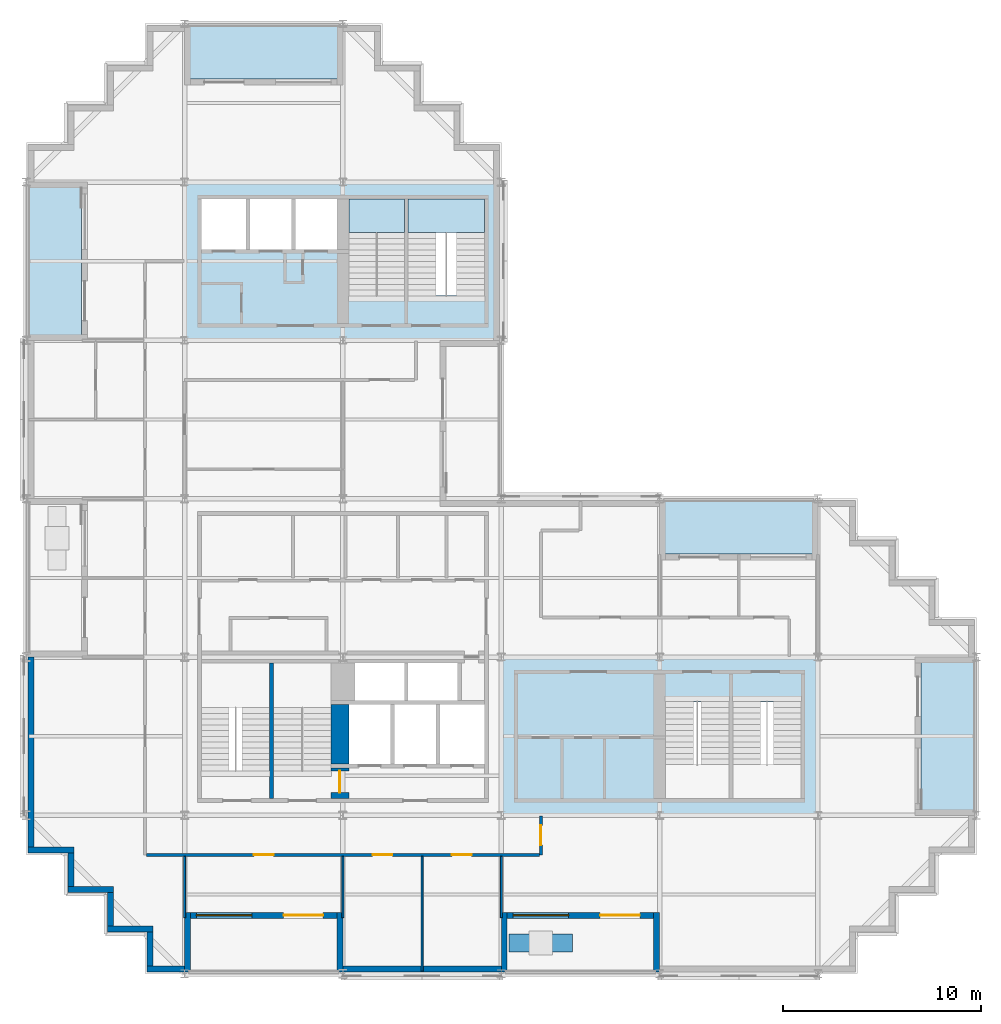
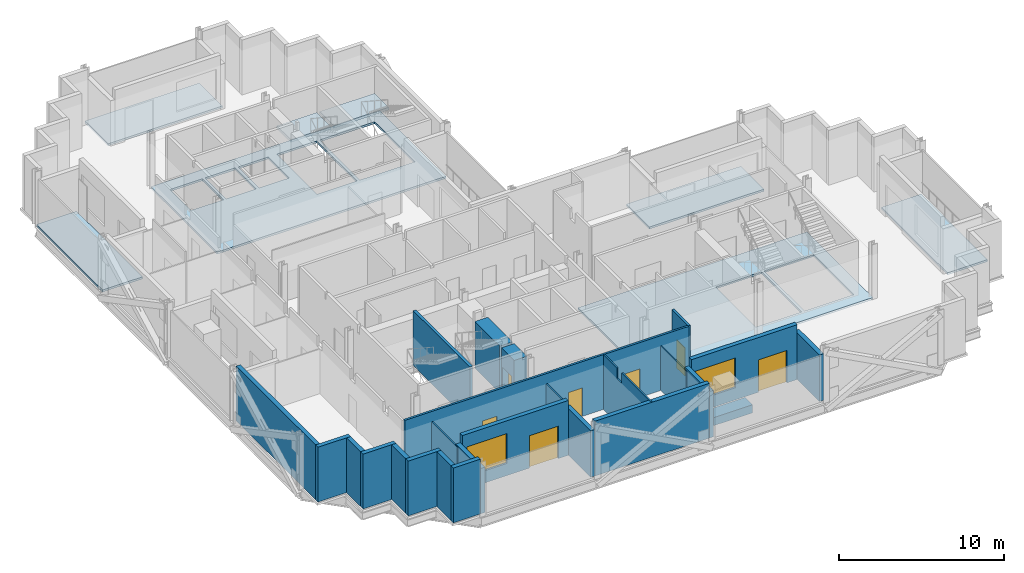
# One storey, part 4 of 12: 25 walls, 8 slabs, 7 doors, 2 windows, 9 openings, 2 elements without a shape of their own.
"""IFC4 building model written with IfcOpenShell, lengths in metres."""

import ifcopenshell
import ifcopenshell.guid

model = None  # the IFC model being written
_history = None  # IfcOwnerHistory: only IFC2X3 demands one
_inside = {}  # id of a spatial element -> (the spatial element, [elements in it])
_under = {}  # id of a project, library or spatial element -> (it, [spatial elements below it])
_declared = {}  # id of a project -> (the project, [libraries it declares])
_typed = {}  # id of a type object -> (the type object, [elements of that type])
_made_of = {}  # id of a material, layer set ... -> (it, [elements and type objects made of it])


def new_model(schema):
    """Start an empty IFC model of exactly this schema.

    Asked for "IFC4X3", IfcOpenShell would pick the latest addendum, in which some entities
    have other attributes; the version numbers below select the first issue.
    IFC2X3 requires an IfcOwnerHistory on every rooted entity: one is made here for all.
    """
    global model, _history
    if schema == "IFC4X3":
        model = ifcopenshell.file(schema_version=(4, 3, 0, 0))
    else:
        model = ifcopenshell.file(schema=schema)
    _inside.clear()
    _under.clear()
    _declared.clear()
    _typed.clear()
    _made_of.clear()
    _history = None
    if model.schema == "IFC2X3":
        org = make("IfcOrganization", Name="unknown")
        user = make(
            "IfcPersonAndOrganization",
            ThePerson=make("IfcPerson", FamilyName="unknown"),
            TheOrganization=org,
        )
        app = make(
            "IfcApplication",
            ApplicationDeveloper=org,
            Version="unknown",
            ApplicationFullName="unknown",
            ApplicationIdentifier="unknown",
        )
        _history = make(
            "IfcOwnerHistory",
            OwningUser=user,
            OwningApplication=app,
            ChangeAction="ADDED",
            CreationDate=0,
        )
    return model


def make(cls, **values):
    """One entity of the class cls with the attributes given. An attribute that is None is left unset."""
    return model.create_entity(
        cls, **{name: value for name, value in values.items() if value is not None}
    )


def rooted(cls, **values):
    """An entity with a GlobalId (a new one), such as an element, a storey or a relation."""
    return make(cls, GlobalId=ifcopenshell.guid.new(), OwnerHistory=_history, **values)


def si_unit(unit_type, name, prefix=None):
    """IfcSIUnit, for example si_unit("LENGTHUNIT", "METRE", prefix="MILLI")."""
    return make("IfcSIUnit", UnitType=unit_type, Prefix=prefix, Name=name)


def assignment(units):
    """IfcUnitAssignment: the units of a project."""
    return None if units is None else make("IfcUnitAssignment", Units=units)


def point(xyz):
    """IfcCartesianPoint."""
    return None if xyz is None else make("IfcCartesianPoint", Coordinates=xyz)


def direction(xyz):
    """IfcDirection."""
    return None if xyz is None else make("IfcDirection", DirectionRatios=xyz)


def frame(location, z_axis=None, x_axis=None):
    """IfcAxis2Placement3D, a coordinate frame: its origin and axes. An axis left out is left unset."""
    return make(
        "IfcAxis2Placement3D",
        Location=point(location),
        Axis=direction(z_axis),
        RefDirection=direction(x_axis),
    )


def frame_2d(location, x_axis=None):
    """IfcAxis2Placement2D, a coordinate frame in the plane: its origin and x axis."""
    return make(
        "IfcAxis2Placement2D", Location=point(location), RefDirection=direction(x_axis)
    )


def origin():
    """The frame at (0, 0, 0) with its axes left unset."""
    return frame((0.0, 0.0, 0.0))


def place(relative_to, where):
    """IfcLocalPlacement: puts the frame where relative to a parent placement (None: the world)."""
    return make(
        "IfcLocalPlacement", PlacementRelTo=relative_to, RelativePlacement=where
    )


def context(
    kind, dimensions, precision=None, world=None, true_north=None, identifier=None
):
    """IfcGeometricRepresentationContext, for example the 3D "Model" context."""
    return make(
        "IfcGeometricRepresentationContext",
        ContextIdentifier=identifier,
        ContextType=kind,
        CoordinateSpaceDimension=dimensions,
        Precision=precision,
        WorldCoordinateSystem=world,
        TrueNorth=true_north,
    )


def subcontext(parent, identifier, kind, view, scale=None):
    """IfcGeometricRepresentationSubContext, for example "Body" below "Model"."""
    return make(
        "IfcGeometricRepresentationSubContext",
        ContextIdentifier=identifier,
        ContextType=kind,
        ParentContext=parent,
        TargetScale=scale,
        TargetView=view,
    )


def project(units=None, contexts=None):
    """IfcProject with its units and contexts."""
    return rooted(
        "IfcProject",
        Name="project",
        RepresentationContexts=contexts,
        UnitsInContext=assignment(units),
    )


def spatial(cls, under=None, at=None, **own):
    """A site, building, storey or space (cls), placed at a placement, below another one or the project."""
    s = rooted(cls, ObjectPlacement=at, **own)
    if under is not None:
        _under.setdefault(under.id(), (under, []))[1].append(s)
    return s


def polyline(points):
    """IfcPolyline through the points."""
    return make("IfcPolyline", Points=[point(p) for p in points])


def profile(cls, at=None, kind="AREA", **sizes):
    """A parametric profile (cls). Its sizes go by their IFC names, for example OverallWidth=200.0."""
    return make(cls, ProfileType=kind, Position=at, **sizes)


def rectangle(**sizes):
    """IfcRectangleProfileDef."""
    return profile("IfcRectangleProfileDef", **sizes)


def outline(outer, holes=None, kind="AREA"):
    """IfcArbitraryClosedProfileDef: a profile drawn as a closed curve; with holes, ...WithVoids."""
    if holes is None:
        return make("IfcArbitraryClosedProfileDef", ProfileType=kind, OuterCurve=outer)
    return make(
        "IfcArbitraryProfileDefWithVoids",
        ProfileType=kind,
        OuterCurve=outer,
        InnerCurves=holes,
    )


def extrude(swept, where, along, depth):
    """IfcExtrudedAreaSolid: the profile swept, set in the frame where, extruded along a direction by depth."""
    return make(
        "IfcExtrudedAreaSolid",
        SweptArea=swept,
        Position=where,
        ExtrudedDirection=direction(along),
        Depth=depth,
    )


def shape(context_of_items, identifier, shape_type, items):
    """IfcShapeRepresentation: the items that make up one representation, for example the "Body"."""
    return make(
        "IfcShapeRepresentation",
        ContextOfItems=context_of_items,
        RepresentationIdentifier=identifier,
        RepresentationType=shape_type,
        Items=items,
    )


def material(Name=None, Category=None):
    """IfcMaterial."""
    return make("IfcMaterial", Name=Name, Category=Category)


def layer(
    of_material, thickness, ventilated=None, Name=None, Category=None, Priority=None
):
    """IfcMaterialLayer: one layer of a wall or slab, of a material (None: an air gap)."""
    return make(
        "IfcMaterialLayer",
        Material=of_material,
        LayerThickness=thickness,
        IsVentilated=ventilated,
        Name=Name,
        Category=Category,
        Priority=Priority,
    )


def layer_set(layers, Name=None):
    """IfcMaterialLayerSet."""
    return make("IfcMaterialLayerSet", MaterialLayers=layers, LayerSetName=Name)


def made_of(thing, what):
    """Note that an element or type object is made of a material, layer set ...; save() writes the relation."""
    if what is not None:
        _made_of.setdefault(what.id(), (what, []))[1].append(thing)
    return thing


def type_object(cls, material=None, **own):
    """A type object (cls), such as IfcWallType, which elements share."""
    return made_of(rooted(cls, **own), material)


def element(
    cls,
    number,
    at=None,
    inside=None,
    cuts=None,
    type_object=None,
    material=None,
    context=None,
    identifier="Body",
    shape_type=None,
    held_by="IfcProductDefinitionShape",
    body=None,
    shapes=None,
    **own,
):
    """One element of the class cls, such as IfcWall. Its Tag is "e" and its number.

    at: its placement. inside: the storey or other place that contains it. cuts: it is an
    opening in that element (IfcRelVoidsElement). A single representation is given by context,
    identifier, shape_type and body (its items); several are given by shapes. held_by: the class
    of the entity that holds the representations. save() writes the other relations.
    """
    e = rooted(cls, Tag="e%d" % number, ObjectPlacement=at, **own)
    if body is not None:
        shapes = [shape(context, identifier, shape_type, body)]
    if shapes is not None:
        e.Representation = make(held_by, Representations=shapes)
    if inside is not None:
        _inside.setdefault(inside.id(), (inside, []))[1].append(e)
    if cuts is not None:
        rooted(
            "IfcRelVoidsElement", RelatingBuildingElement=cuts, RelatedOpeningElement=e
        )
    if type_object is not None:
        _typed.setdefault(type_object.id(), (type_object, []))[1].append(e)
    return made_of(e, material)


def fill(opening, filler):
    """IfcRelFillsElement: the door or window that sits in an opening."""
    return rooted(
        "IfcRelFillsElement",
        RelatingOpeningElement=opening,
        RelatedBuildingElement=filler,
    )


def aggregate(whole, parts):
    """IfcRelAggregates: a whole, such as a stair, and the parts it consists of."""
    return rooted("IfcRelAggregates", RelatingObject=whole, RelatedObjects=parts)


def save(model, path):
    """Write the relations noted so far, then the file.

    IfcRelAggregates (storeys below a building ...), IfcRelContainedInSpatialStructure (elements
    in a storey), IfcRelDefinesByType, IfcRelAssociatesMaterial and IfcRelDeclares: one each for
    every whole, place, type object, material and project.
    """
    for whole, parts in _under.values():
        aggregate(whole, parts)
    for where, things in _inside.values():
        rooted(
            "IfcRelContainedInSpatialStructure",
            RelatedElements=things,
            RelatingStructure=where,
        )
    for kind, things in _typed.values():
        rooted("IfcRelDefinesByType", RelatedObjects=things, RelatingType=kind)
    for what, things in _made_of.values():
        rooted("IfcRelAssociatesMaterial", RelatedObjects=things, RelatingMaterial=what)
    for by, libraries in _declared.values():
        rooted("IfcRelDeclares", RelatingContext=by, RelatedDefinitions=libraries)
    model.write(path)


model = new_model("IFC4")

# Units and contexts
model_context = context("Model", 3, precision=1e-05, world=origin(), true_north=direction((0.0, 1.0)))
body_context = subcontext(model_context, "Body", "Model", "MODEL_VIEW")
ifc_project = project(units=[si_unit("LENGTHUNIT", "METRE"), si_unit("AREAUNIT", "SQUARE_METRE"), si_unit("VOLUMEUNIT", "CUBIC_METRE"), si_unit("PLANEANGLEUNIT", "RADIAN"), si_unit("MASSUNIT", "GRAM", prefix="KILO")], contexts=[model_context])

# Site, building, storey
site_placement = place(None, origin())
site = spatial("IfcSite", under=ifc_project, at=site_placement, CompositionType="ELEMENT")
building_placement = place(site_placement, origin())
building = spatial("IfcBuilding", under=site, at=building_placement, Name="Immortelle Media Tower", CompositionType="ELEMENT")
storey_placement = place(building_placement, frame((0.0, 0.0, 149.39990234375)))
storey = spatial("IfcBuildingStorey", under=building, at=storey_placement, Name="L30", CompositionType="ELEMENT", Elevation=149.39990234375)

# Slabs
ifc_material_1 = material(Name="Concrete C50/60 composite deck", Category="concrete")
ifc_layer_1 = layer(ifc_material_1, 0.14990234375)
ifc_layer_set_1 = layer_set([ifc_layer_1], Name="Concrete C50/60 composite deck")
slab_type_1 = type_object("IfcSlabType", Name="Balcony slab 150", PredefinedType="FLOOR", material=ifc_layer_set_1)
slab_1_placement = place(storey_placement, frame((0.0, 0.0, -0.14990234375)))
element("IfcSlab", 1, at=slab_1_placement, inside=storey, type_object=slab_type_1, Name="Balcony slab L30 E0", PredefinedType="FLOOR", context=body_context, shape_type="SweptSolid", body=[
    extrude(outline(polyline([(48.0, 8.0), (48.0, 16.0), (45.199951171875, 16.0), (45.199951171875, 8.0), (48.0, 8.0)])), origin(), (0.0, 0.0, 1.0), 0.14990234375),
])
slab_2_placement = place(storey_placement, frame((0.0, 0.0, -0.14990234375)))
element("IfcSlab", 2, at=slab_2_placement, inside=storey, type_object=slab_type_1, Name="Balcony slab L30 N0", PredefinedType="FLOOR", context=body_context, shape_type="SweptSolid", body=[
    extrude(outline(polyline([(40.0, 21.199951171875), (40.0, 24.0), (32.0, 24.0), (32.0, 21.199951171875), (40.0, 21.199951171875)])), origin(), (0.0, 0.0, 1.0), 0.14990234375),
])
slab_3_placement = place(storey_placement, frame((0.0, 0.0, -0.14990234375)))
element("IfcSlab", 3, at=slab_3_placement, inside=storey, type_object=slab_type_1, Name="Balcony slab L30 N0", PredefinedType="FLOOR", context=body_context, shape_type="SweptSolid", body=[
    extrude(outline(polyline([(16.0, 45.199951171875), (16.0, 48.0), (8.0, 48.0), (8.0, 45.199951171875), (16.0, 45.199951171875)])), origin(), (0.0, 0.0, 1.0), 0.14990234375),
])
slab_4_placement = place(storey_placement, frame((0.0, 0.0, -0.14990234375)))
element("IfcSlab", 4, at=slab_4_placement, inside=storey, type_object=slab_type_1, Name="Balcony slab L30 W0", PredefinedType="FLOOR", context=body_context, shape_type="SweptSolid", body=[
    extrude(outline(polyline([(2.800048828125, 32.0), (2.800048828125, 40.0), (0.0, 40.0), (0.0, 32.0), (2.800048828125, 32.0)])), origin(), (0.0, 0.0, 1.0), 0.14990234375),
])
ifc_material_2 = material(Name="Concrete C50/60", Category="concrete")
ifc_layer_2 = layer(ifc_material_2, 0.14990234375)
ifc_layer_set_2 = layer_set([ifc_layer_2], Name="Concrete C50/60")
slab_type_2 = type_object("IfcSlabType", Name="Core floor slab 150", PredefinedType="FLOOR", material=ifc_layer_set_2)
slab_5_placement = place(storey_placement, frame((0.0, 0.0, -0.14990234375)))
element("IfcSlab", 5, at=slab_5_placement, inside=storey, type_object=slab_type_2, Name="Core floor SE", PredefinedType="FLOOR", context=body_context, shape_type="SweptSolid", body=[
    extrude(outline(polyline([(24.0, 8.0), (40.0, 8.0), (40.0, 16.0), (24.0, 16.0), (24.0, 8.0)]), holes=[polyline([(32.300048828125, 8.85009765625), (35.5, 8.85009765625), (35.5, 13.72998046875), (32.300048828125, 13.72998046875), (32.300048828125, 8.85009765625)]), polyline([(35.699951171875, 8.85009765625), (39.14990234375, 8.85009765625), (39.14990234375, 13.72998046875), (35.699951171875, 13.72998046875), (35.699951171875, 8.85009765625)])]), origin(), (0.0, 0.0, 1.0), 0.14990234375),
])
slab_6_placement = place(storey_placement, frame((0.0, 0.0, -0.14990234375)))
element("IfcSlab", 6, at=slab_6_placement, inside=storey, type_object=slab_type_2, Name="Core floor NW", PredefinedType="FLOOR", context=body_context, shape_type="SweptSolid", body=[
    extrude(outline(polyline([(8.0, 32.0), (24.0, 32.0), (24.0, 40.0), (8.0, 40.0), (8.0, 32.0)]), holes=[polyline([(8.85009765625, 36.60009765625), (11.10009765625, 36.60009765625), (11.10009765625, 39.14990234375), (8.85009765625, 39.14990234375), (8.85009765625, 36.60009765625)]), polyline([(11.300048828125, 36.60009765625), (13.39990234375, 36.60009765625), (13.39990234375, 39.14990234375), (11.300048828125, 39.14990234375), (11.300048828125, 36.60009765625)]), polyline([(13.60009765625, 36.60009765625), (15.699951171875, 36.60009765625), (15.699951171875, 39.14990234375), (13.60009765625, 39.14990234375), (13.60009765625, 36.60009765625)]), polyline([(16.300048828125, 34.27001953125), (19.10009765625, 34.27001953125), (19.10009765625, 39.14990234375), (16.300048828125, 39.14990234375), (16.300048828125, 34.27001953125)]), polyline([(19.300048828125, 34.27001953125), (23.14990234375, 34.27001953125), (23.14990234375, 39.14990234375), (19.300048828125, 39.14990234375), (19.300048828125, 34.27001953125)])]), origin(), (0.0, 0.0, 1.0), 0.14990234375),
])

# Stair, slab
ifc_material_3 = material(Name="Steel ASTM A992 Gr 50", Category="steel")
stair_type = type_object("IfcStairType", Name="Stair with flights", PredefinedType="DOUBLE_RETURN_STAIR", material=ifc_material_3)
stair_1_placement = place(storey_placement, origin())
stair_1 = element("IfcStair", 7, at=stair_1_placement, inside=storey, type_object=stair_type, Name="Exit stair NW1", PredefinedType="DOUBLE_RETURN_STAIR")
ifc_material_4 = material(Name="Steel ASTM A572 Gr 50", Category="steel")
ifc_layer_3 = layer(ifc_material_4, 0.199951171875)
ifc_layer_set_3 = layer_set([ifc_layer_3], Name="Steel ASTM A572 Gr 50")
slab_type_3 = type_object("IfcSlabType", Name="Stair landing 200", PredefinedType="LANDING", material=ifc_layer_set_3)
slab_7_placement = place(storey_placement, frame((0.0, 0.0, 1.900146484375)))
slab_7 = element("IfcSlab", 8, at=slab_7_placement, type_object=slab_type_3, Name="ST NW1 landing 1", PredefinedType="LANDING", context=body_context, shape_type="SweptSolid", body=[
    extrude(outline(polyline([(16.300048828125, 37.43994140625), (19.10009765625, 37.43994140625), (19.10009765625, 39.14990234375), (16.300048828125, 39.14990234375), (16.300048828125, 37.43994140625)])), origin(), (0.0, 0.0, 1.0), 0.199951171875),
])
aggregate(stair_1, [slab_7])

stair_2_placement = place(storey_placement, origin())
stair_2 = element("IfcStair", 9, at=stair_2_placement, inside=storey, type_object=stair_type, Name="Exit stair NW2", PredefinedType="DOUBLE_RETURN_STAIR")
slab_8_placement = place(storey_placement, frame((0.0, 0.0, 1.900146484375)))
slab_8 = element("IfcSlab", 10, at=slab_8_placement, type_object=slab_type_3, Name="ST NW2 landing 1", PredefinedType="LANDING", context=body_context, shape_type="SweptSolid", body=[
    extrude(outline(polyline([(19.300048828125, 37.43994140625), (23.14990234375, 37.43994140625), (23.14990234375, 39.14990234375), (19.300048828125, 39.14990234375), (19.300048828125, 37.43994140625)])), origin(), (0.0, 0.0, 1.0), 0.199951171875),
])
aggregate(stair_2, [slab_8])

# Wall, openings, doors
ifc_material_5 = material(Name="Fire-rated gypsum board", Category="gypsum")
ifc_layer_4 = layer(ifc_material_5, 0.012451171875)
ifc_material_6 = material(Name="Steel ASTM A653 SS Gr 50 stud frame with mineral wool", Category="steel")
ifc_layer_5 = layer(ifc_material_6, 0.125)
ifc_layer_6 = layer(ifc_material_5, 0.012451171875)
ifc_layer_set_4 = layer_set([ifc_layer_4, ifc_layer_5, ifc_layer_6], Name="Steel ASTM A653 SS Gr 50 stud frame with mineral wool")
wall_type_1 = type_object("IfcWallType", Name="Corridor wall 150", PredefinedType="PARTITIONING", material=ifc_layer_set_4)
wall_1_placement = place(storey_placement, frame((6.074951171875, 6.0, 0.0), z_axis=(0.0, 0.0, 1.0), x_axis=(1.0, 0.0, 0.0)))
wall_1 = element("IfcWall", 11, at=wall_1_placement, inside=storey, type_object=wall_type_1, Name="Partition L30-005", PredefinedType="PARTITIONING", context=body_context, shape_type="SweptSolid", body=[
    extrude(rectangle(XDim=19.85009765625, YDim=0.14990234375, at=frame_2d((9.925048828125, 0.0))), origin(), (0.0, 0.0, 1.0), 4.050048828125),
])
opening_1_placement = place(wall_1_placement, frame((12.425048828125, 0.0, 0.0), z_axis=(0.0, 0.0, 1.0), x_axis=(-1.0, 0.0, 0.0)))
opening_1 = element("IfcOpeningElement", 12, at=opening_1_placement, cuts=wall_1, Name="Opening C3-F001", PredefinedType="OPENING", context=body_context, shape_type="SweptSolid", body=[
    extrude(rectangle(XDim=1.0, YDim=2.10009765625, at=frame_2d((0.5, 1.050048828125))), frame((0.0, 0.0849609375, 0.0), z_axis=(0.0, -1.0, 0.0), x_axis=(1.0, 0.0, 0.0)), (0.0, 0.0, 1.0), 0.169921875),
])
opening_2_placement = place(wall_1_placement, frame((16.425048828125, 0.0, 0.0), z_axis=(0.0, 0.0, 1.0), x_axis=(-1.0, 0.0, 0.0)))
opening_2 = element("IfcOpeningElement", 13, at=opening_2_placement, cuts=wall_1, Name="Opening C3-F002", PredefinedType="OPENING", context=body_context, shape_type="SweptSolid", body=[
    extrude(rectangle(XDim=1.0, YDim=2.10009765625, at=frame_2d((0.5, 1.050048828125))), frame((0.0, 0.0849609375, 0.0), z_axis=(0.0, -1.0, 0.0), x_axis=(1.0, 0.0, 0.0)), (0.0, 0.0, 1.0), 0.169921875),
])
opening_3_placement = place(wall_1_placement, frame((6.425048828125, 0.0, 0.0), z_axis=(0.0, 0.0, 1.0), x_axis=(-1.0, 0.0, 0.0)))
opening_3 = element("IfcOpeningElement", 14, at=opening_3_placement, cuts=wall_1, Name="Opening C3-F003", PredefinedType="OPENING", context=body_context, shape_type="SweptSolid", body=[
    extrude(rectangle(XDim=1.0, YDim=2.10009765625, at=frame_2d((0.5, 1.050048828125))), frame((0.0, 0.0849609375, 0.0), z_axis=(0.0, -1.0, 0.0), x_axis=(1.0, 0.0, 0.0)), (0.0, 0.0, 1.0), 0.169921875),
])
ifc_material_7 = material(Name="Timber veneered door leaf, galvanised steel frame ASTM A653", Category="steel")
door_type_1 = type_object("IfcDoorType", Name="Room door 1000 x 2100", OperationType="NOTDEFINED", PredefinedType="DOOR", material=ifc_material_7)
door_1_placement = place(opening_1_placement, origin())
door_1 = element("IfcDoor", 15, at=door_1_placement, inside=storey, type_object=door_type_1, Name="Door C3-F001", OperationType="SINGLE_SWING_RIGHT", OverallHeight=2.10009765625, OverallWidth=1.0, PredefinedType="DOOR", context=body_context, shape_type="SweptSolid", body=[
    extrude(rectangle(XDim=1.0, YDim=2.10009765625, at=frame_2d((0.5, 1.050048828125))), frame((0.0, 0.02490234375, 0.0), z_axis=(0.0, -1.0, 0.0), x_axis=(1.0, 0.0, 0.0)), (0.0, 0.0, 1.0), 0.050048828125),
])
fill(opening_1, door_1)
door_2_placement = place(opening_2_placement, origin())
door_2 = element("IfcDoor", 16, at=door_2_placement, inside=storey, type_object=door_type_1, Name="Door C3-F002", OperationType="SINGLE_SWING_RIGHT", OverallHeight=2.10009765625, OverallWidth=1.0, PredefinedType="DOOR", context=body_context, shape_type="SweptSolid", body=[
    extrude(rectangle(XDim=1.0, YDim=2.10009765625, at=frame_2d((0.5, 1.050048828125))), frame((0.0, 0.02490234375, 0.0), z_axis=(0.0, -1.0, 0.0), x_axis=(1.0, 0.0, 0.0)), (0.0, 0.0, 1.0), 0.050048828125),
])
fill(opening_2, door_2)
door_3_placement = place(opening_3_placement, origin())
door_3 = element("IfcDoor", 17, at=door_3_placement, inside=storey, type_object=door_type_1, Name="Door C3-F003", OperationType="SINGLE_SWING_RIGHT", OverallHeight=2.10009765625, OverallWidth=1.0, PredefinedType="DOOR", context=body_context, shape_type="SweptSolid", body=[
    extrude(rectangle(XDim=1.0, YDim=2.10009765625, at=frame_2d((0.5, 1.050048828125))), frame((0.0, 0.02490234375, 0.0), z_axis=(0.0, -1.0, 0.0), x_axis=(1.0, 0.0, 0.0)), (0.0, 0.0, 1.0), 0.050048828125),
])
fill(opening_3, door_3)

# Wall, opening, door
wall_2_placement = place(storey_placement, frame((26.0, 6.0, 0.0), z_axis=(0.0, 0.0, 1.0), x_axis=(0.0, 1.0, 0.0)))
wall_2 = element("IfcWall", 18, at=wall_2_placement, inside=storey, type_object=wall_type_1, Name="Partition L30-007", PredefinedType="PARTITIONING", context=body_context, shape_type="SweptSolid", body=[
    extrude(rectangle(XDim=1.969970703125, YDim=0.14990234375, at=frame_2d((0.98486328125, 0.0))), origin(), (0.0, 0.0, 1.0), 4.050048828125),
])
opening_4_placement = place(wall_2_placement, frame((1.5, 0.0, 0.0), z_axis=(0.0, 0.0, 1.0), x_axis=(-1.0, 0.0, 0.0)))
opening_4 = element("IfcOpeningElement", 19, at=opening_4_placement, cuts=wall_2, Name="Opening C3-F004", PredefinedType="OPENING", context=body_context, shape_type="SweptSolid", body=[
    extrude(rectangle(XDim=1.0, YDim=2.10009765625, at=frame_2d((0.5, 1.050048828125))), frame((0.0, 0.0849609375, 0.0), z_axis=(0.0, -1.0, 0.0), x_axis=(1.0, 0.0, 0.0)), (0.0, 0.0, 1.0), 0.169921875),
])
door_4_placement = place(opening_4_placement, origin())
door_4 = element("IfcDoor", 20, at=door_4_placement, inside=storey, type_object=door_type_1, Name="Door C3-F004", OperationType="SINGLE_SWING_LEFT", OverallHeight=2.10009765625, OverallWidth=1.0, PredefinedType="DOOR", context=body_context, shape_type="SweptSolid", body=[
    extrude(rectangle(XDim=1.0, YDim=2.10009765625, at=frame_2d((0.5, 1.050048828125))), frame((0.0, 0.02490234375, 0.0), z_axis=(0.0, -1.0, 0.0), x_axis=(1.0, 0.0, 0.0)), (0.0, 0.0, 1.0), 0.050048828125),
])
fill(opening_4, door_4)

# Walls
ifc_material_8 = material(Name="Pale aluminium cladding panel", Category="aluminium")
ifc_layer_7 = layer(ifc_material_8, 0.030029296875)
ifc_layer_8 = layer(ifc_material_6, 0.257568359375)
ifc_material_9 = material(Name="Moisture-resistant gypsum board", Category="gypsum")
ifc_layer_9 = layer(ifc_material_9, 0.012451171875)
ifc_layer_set_5 = layer_set([ifc_layer_7, ifc_layer_8, ifc_layer_9], Name="Steel ASTM A653 SS Gr 50 stud frame with mineral wool")
wall_type_2 = type_object("IfcWallType", Name="Facade wall 300", PredefinedType="SOLIDWALL", material=ifc_layer_set_5)
wall_3_placement = place(storey_placement, frame((0.10009765625, 6.25, 0.0), z_axis=(0.0, 0.0, 1.0), x_axis=(1.0, 0.0, 0.0)))
element("IfcWall", 21, at=wall_3_placement, inside=storey, type_object=wall_type_2, Name="Facade wall L30 S0", PredefinedType="SOLIDWALL", context=body_context, shape_type="SweptSolid", body=[
    extrude(rectangle(XDim=2.2998046875, YDim=0.300048828125, at=frame_2d((1.14990234375, 0.0))), origin(), (0.0, 0.0, 1.0), 4.050048828125),
])
wall_4_placement = place(storey_placement, frame((2.25, 6.10009765625, 0.0), z_axis=(0.0, 0.0, 1.0), x_axis=(0.0, -1.0, 0.0)))
element("IfcWall", 22, at=wall_4_placement, inside=storey, type_object=wall_type_2, Name="Facade wall L30 W1", PredefinedType="SOLIDWALL", context=body_context, shape_type="SweptSolid", body=[
    extrude(rectangle(XDim=1.7001953125, YDim=0.300048828125, at=frame_2d((0.85009765625, 0.0))), origin(), (0.0, 0.0, 1.0), 4.050048828125),
])
wall_5_placement = place(storey_placement, frame((2.10009765625, 4.25, 0.0), z_axis=(0.0, 0.0, 1.0), x_axis=(1.0, 0.0, 0.0)))
element("IfcWall", 23, at=wall_5_placement, inside=storey, type_object=wall_type_2, Name="Facade wall L30 S2", PredefinedType="SOLIDWALL", context=body_context, shape_type="SweptSolid", body=[
    extrude(rectangle(XDim=2.2998046875, YDim=0.300048828125, at=frame_2d((1.14990234375, 0.0))), origin(), (0.0, 0.0, 1.0), 4.050048828125),
])
wall_6_placement = place(storey_placement, frame((4.25, 4.10009765625, 0.0), z_axis=(0.0, 0.0, 1.0), x_axis=(0.0, -1.0, 0.0)))
element("IfcWall", 24, at=wall_6_placement, inside=storey, type_object=wall_type_2, Name="Facade wall L30 W3", PredefinedType="SOLIDWALL", context=body_context, shape_type="SweptSolid", body=[
    extrude(rectangle(XDim=1.7001953125, YDim=0.300048828125, at=frame_2d((0.85009765625, 0.0))), origin(), (0.0, 0.0, 1.0), 4.050048828125),
])
wall_7_placement = place(storey_placement, frame((4.10009765625, 2.25, 0.0), z_axis=(0.0, 0.0, 1.0), x_axis=(1.0, 0.0, 0.0)))
element("IfcWall", 25, at=wall_7_placement, inside=storey, type_object=wall_type_2, Name="Facade wall L30 S4", PredefinedType="SOLIDWALL", context=body_context, shape_type="SweptSolid", body=[
    extrude(rectangle(XDim=2.2998046875, YDim=0.300048828125, at=frame_2d((1.14990234375, 0.0))), origin(), (0.0, 0.0, 1.0), 4.050048828125),
])
wall_8_placement = place(storey_placement, frame((6.25, 2.10009765625, 0.0), z_axis=(0.0, 0.0, 1.0), x_axis=(0.0, -1.0, 0.0)))
element("IfcWall", 26, at=wall_8_placement, inside=storey, type_object=wall_type_2, Name="Facade wall L30 W5", PredefinedType="SOLIDWALL", context=body_context, shape_type="SweptSolid", body=[
    extrude(rectangle(XDim=1.7001953125, YDim=0.300048828125, at=frame_2d((0.85009765625, 0.0))), origin(), (0.0, 0.0, 1.0), 4.050048828125),
])
wall_9_placement = place(storey_placement, frame((6.10009765625, 0.25, 0.0), z_axis=(0.0, 0.0, 1.0), x_axis=(1.0, 0.0, 0.0)))
element("IfcWall", 27, at=wall_9_placement, inside=storey, type_object=wall_type_2, Name="Facade wall L30 S6", PredefinedType="SOLIDWALL", context=body_context, shape_type="SweptSolid", body=[
    extrude(rectangle(XDim=1.89990234375, YDim=0.300048828125, at=frame_2d((0.949951171875, 0.0))), origin(), (0.0, 0.0, 1.0), 4.050048828125),
])

# Wall, openings, door, window
wall_10_placement = place(storey_placement, frame((8.300048828125, 2.949951171875, 0.0), z_axis=(0.0, 0.0, 1.0), x_axis=(1.0, 0.0, 0.0)))
wall_10 = element("IfcWall", 28, at=wall_10_placement, inside=storey, type_object=wall_type_2, Name="Loggia wall L30 S6", PredefinedType="SOLIDWALL", context=body_context, shape_type="SweptSolid", body=[
    extrude(rectangle(XDim=7.39990234375, YDim=0.300048828125, at=frame_2d((3.699951171875, 0.0))), origin(), (0.0, 0.0, 1.0), 4.050048828125),
])
opening_5_placement = place(wall_10_placement, frame((0.300048828125, 0.0, 0.89990234375)))
opening_5 = element("IfcOpeningElement", 29, at=opening_5_placement, cuts=wall_10, Name="Opening W1", PredefinedType="OPENING", context=body_context, shape_type="SweptSolid", body=[
    extrude(rectangle(XDim=2.800048828125, YDim=2.199951171875, at=frame_2d((1.39990234375, 1.10009765625))), frame((0.0, 0.159912109375, 0.0), z_axis=(0.0, -1.0, 0.0), x_axis=(1.0, 0.0, 0.0)), (0.0, 0.0, 1.0), 0.320068359375),
])
opening_6_placement = place(wall_10_placement, frame((4.699951171875, 0.0, 0.0)))
opening_6 = element("IfcOpeningElement", 30, at=opening_6_placement, cuts=wall_10, Name="Opening C3-E001", PredefinedType="OPENING", context=body_context, shape_type="SweptSolid", body=[
    extrude(rectangle(XDim=2.0, YDim=2.39990234375, at=frame_2d((1.0, 1.199951171875))), frame((0.0, 0.159912109375, 0.0), z_axis=(0.0, -1.0, 0.0), x_axis=(1.0, 0.0, 0.0)), (0.0, 0.0, 1.0), 0.320068359375),
])
ifc_material_10 = material(Name="Aluminium frame, glazed leaves", Category="aluminium")
door_type_2 = type_object("IfcDoorType", Name="Loggia door 2000 x 2400", OperationType="DOUBLE_DOOR_SINGLE_SWING", PredefinedType="DOOR", material=ifc_material_10)
door_5_placement = place(opening_6_placement, origin())
door_5 = element("IfcDoor", 31, at=door_5_placement, inside=storey, type_object=door_type_2, Name="Door C3-E001", OperationType="DOUBLE_DOOR_SINGLE_SWING", OverallHeight=2.39990234375, OverallWidth=2.0, PredefinedType="DOOR", context=body_context, shape_type="SweptSolid", body=[
    extrude(rectangle(XDim=2.0, YDim=2.39990234375, at=frame_2d((1.0, 1.199951171875))), frame((0.0, 0.02490234375, 0.0), z_axis=(0.0, -1.0, 0.0), x_axis=(1.0, 0.0, 0.0)), (0.0, 0.0, 1.0), 0.050048828125),
])
fill(opening_6, door_5)
ifc_material_11 = material(Name="Aluminium frame", Category="aluminium")
window_type = type_object("IfcWindowType", Name="Window 2800 x 2200", PartitioningType="SINGLE_PANEL", PredefinedType="WINDOW", material=ifc_material_11)
window_1_placement = place(opening_5_placement, origin())
window_1 = element("IfcWindow", 32, at=window_1_placement, inside=storey, type_object=window_type, Name="Window L30 L30-R6-B0", OverallHeight=2.199951171875, OverallWidth=2.800048828125, PartitioningType="SINGLE_PANEL", PredefinedType="WINDOW", context=body_context, shape_type="SweptSolid", body=[
    extrude(rectangle(XDim=2.800048828125, YDim=2.199951171875, at=frame_2d((1.39990234375, 1.10009765625))), frame((0.0, 0.030029296875, 0.0), z_axis=(0.0, -1.0, 0.0), x_axis=(1.0, 0.0, 0.0)), (0.0, 0.0, 1.0), 0.06005859375),
])
fill(opening_5, window_1)

# Walls
wall_11_placement = place(storey_placement, frame((8.14990234375, 0.10009765625, 0.0), z_axis=(0.0, 0.0, 1.0), x_axis=(0.0, 1.0, 0.0)))
element("IfcWall", 33, at=wall_11_placement, inside=storey, type_object=wall_type_2, Name="Loggia cheek wall L30 S", PredefinedType="SOLIDWALL", context=body_context, shape_type="SweptSolid", body=[
    extrude(rectangle(XDim=3.0, YDim=0.300048828125, at=frame_2d((1.5, 0.0))), origin(), (0.0, 0.0, 1.0), 3.35302734375),
])
wall_12_placement = place(storey_placement, frame((15.85009765625, 0.10009765625, 0.0), z_axis=(0.0, 0.0, 1.0), x_axis=(0.0, 1.0, 0.0)))
element("IfcWall", 34, at=wall_12_placement, inside=storey, type_object=wall_type_2, Name="Loggia cheek wall L30 S", PredefinedType="SOLIDWALL", context=body_context, shape_type="SweptSolid", body=[
    extrude(rectangle(XDim=3.0, YDim=0.300048828125, at=frame_2d((1.5, 0.0))), origin(), (0.0, 0.0, 1.0), 3.43701171875),
])
wall_13_placement = place(storey_placement, frame((16.0, 0.25, 0.0), z_axis=(0.0, 0.0, 1.0), x_axis=(1.0, 0.0, 0.0)))
element("IfcWall", 35, at=wall_13_placement, inside=storey, type_object=wall_type_2, Name="Facade wall L30 S6", PredefinedType="SOLIDWALL", context=body_context, shape_type="SweptSolid", body=[
    extrude(rectangle(XDim=8.0, YDim=0.300048828125, at=frame_2d((4.0, 0.0))), origin(), (0.0, 0.0, 1.0), 4.050048828125),
])

# Wall, openings, door, window
wall_14_placement = place(storey_placement, frame((24.300048828125, 2.949951171875, 0.0), z_axis=(0.0, 0.0, 1.0), x_axis=(1.0, 0.0, 0.0)))
wall_14 = element("IfcWall", 36, at=wall_14_placement, inside=storey, type_object=wall_type_2, Name="Loggia wall L30 S6", PredefinedType="SOLIDWALL", context=body_context, shape_type="SweptSolid", body=[
    extrude(rectangle(XDim=7.39990234375, YDim=0.300048828125, at=frame_2d((3.699951171875, 0.0))), origin(), (0.0, 0.0, 1.0), 4.050048828125),
])
opening_7_placement = place(wall_14_placement, frame((0.300048828125, 0.0, 0.89990234375)))
opening_7 = element("IfcOpeningElement", 37, at=opening_7_placement, cuts=wall_14, Name="Opening W1", PredefinedType="OPENING", context=body_context, shape_type="SweptSolid", body=[
    extrude(rectangle(XDim=2.800048828125, YDim=2.199951171875, at=frame_2d((1.39990234375, 1.10009765625))), frame((0.0, 0.159912109375, 0.0), z_axis=(0.0, -1.0, 0.0), x_axis=(1.0, 0.0, 0.0)), (0.0, 0.0, 1.0), 0.320068359375),
])
opening_8_placement = place(wall_14_placement, frame((4.699951171875, 0.0, 0.0)))
opening_8 = element("IfcOpeningElement", 38, at=opening_8_placement, cuts=wall_14, Name="Opening C3-E002", PredefinedType="OPENING", context=body_context, shape_type="SweptSolid", body=[
    extrude(rectangle(XDim=2.0, YDim=2.39990234375, at=frame_2d((1.0, 1.199951171875))), frame((0.0, 0.159912109375, 0.0), z_axis=(0.0, -1.0, 0.0), x_axis=(1.0, 0.0, 0.0)), (0.0, 0.0, 1.0), 0.320068359375),
])
door_6_placement = place(opening_8_placement, origin())
door_6 = element("IfcDoor", 39, at=door_6_placement, inside=storey, type_object=door_type_2, Name="Door C3-E002", OperationType="DOUBLE_DOOR_SINGLE_SWING", OverallHeight=2.39990234375, OverallWidth=2.0, PredefinedType="DOOR", context=body_context, shape_type="SweptSolid", body=[
    extrude(rectangle(XDim=2.0, YDim=2.39990234375, at=frame_2d((1.0, 1.199951171875))), frame((0.0, 0.02490234375, 0.0), z_axis=(0.0, -1.0, 0.0), x_axis=(1.0, 0.0, 0.0)), (0.0, 0.0, 1.0), 0.050048828125),
])
fill(opening_8, door_6)
window_2_placement = place(opening_7_placement, origin())
window_2 = element("IfcWindow", 40, at=window_2_placement, inside=storey, type_object=window_type, Name="Window L30 L30-R6-B2", OverallHeight=2.199951171875, OverallWidth=2.800048828125, PartitioningType="SINGLE_PANEL", PredefinedType="WINDOW", context=body_context, shape_type="SweptSolid", body=[
    extrude(rectangle(XDim=2.800048828125, YDim=2.199951171875, at=frame_2d((1.39990234375, 1.10009765625))), frame((0.0, 0.030029296875, 0.0), z_axis=(0.0, -1.0, 0.0), x_axis=(1.0, 0.0, 0.0)), (0.0, 0.0, 1.0), 0.06005859375),
])
fill(opening_7, window_2)

# Walls
for number, where, z_axis, x_axis, name in (
    (41, (24.14990234375, 0.10009765625, 0.0), (0.0, 0.0, 1.0), (0.0, 1.0, 0.0), "Loggia cheek wall L30 S"),
    (42, (31.85009765625, 0.10009765625, 0.0), (0.0, 0.0, 1.0), (0.0, 1.0, 0.0), "Loggia cheek wall L30 S"),
):
    element("IfcWall", number, at=place(storey_placement, frame(where, z_axis=z_axis, x_axis=x_axis)), inside=storey, type_object=wall_type_2, Name=name, PredefinedType="SOLIDWALL", context=body_context, shape_type="SweptSolid", body=[
        extrude(rectangle(XDim=3.0, YDim=0.300048828125, at=frame_2d((1.5, 0.0))), origin(), (0.0, 0.0, 1.0), 3.43701171875),
    ])
wall_15_placement = place(storey_placement, frame((0.25, 16.0, 0.0), z_axis=(0.0, 0.0, 1.0), x_axis=(0.0, -1.0, 0.0)))
element("IfcWall", 43, at=wall_15_placement, inside=storey, type_object=wall_type_2, Name="Facade wall L30 W35", PredefinedType="SOLIDWALL", context=body_context, shape_type="SweptSolid", body=[
    extrude(rectangle(XDim=9.60009765625, YDim=0.300048828125, at=frame_2d((4.800048828125, 0.0))), origin(), (0.0, 0.0, 1.0), 4.050048828125),
])
ifc_material_12 = material(Name="Gypsum board", Category="gypsum")
ifc_layer_10 = layer(ifc_material_12, 0.012451171875)
ifc_layer_11 = layer(ifc_material_6, 0.074951171875)
ifc_layer_12 = layer(ifc_material_12, 0.012451171875)
ifc_layer_set_6 = layer_set([ifc_layer_10, ifc_layer_11, ifc_layer_12], Name="Steel ASTM A653 SS Gr 50 stud frame with mineral wool")
wall_type_3 = type_object("IfcWallType", Name="Partition 100", PredefinedType="PARTITIONING", material=ifc_layer_set_6)
wall_16_placement = place(storey_placement, frame((20.0, 0.1298828125, 0.0), z_axis=(0.0, 0.0, 1.0), x_axis=(0.0, 1.0, 0.0)))
element("IfcWall", 44, at=wall_16_placement, inside=storey, type_object=wall_type_3, Name="Partition L30-001", PredefinedType="PARTITIONING", context=body_context, shape_type="SweptSolid", body=[
    extrude(outline(polyline([(0.0, 0.0), (5.795166015625, 0.0), (5.794921875, 4.050048828125), (4.169921875, 4.050048828125), (4.16796875, 3.2880859375), (3.572021484375, 3.2880859375), (3.570068359375, 4.050048828125), (0.0, 4.050048828125), (0.0, 0.0)])), frame((0.0, 0.050048828125, 0.0), z_axis=(0.0, -1.0, 0.0), x_axis=(1.0, 0.0, 0.0)), (0.0, 0.0, 1.0), 0.10009765625),
])
for number, where, z_axis, x_axis, name in (
    (45, (8.0, 2.830078125, 0.0), (0.0, 0.0, 1.0), (0.0, 1.0, 0.0), "Partition L30-002"),
    (46, (16.0, 2.830078125, 0.0), (0.0, 0.0, 1.0), (0.0, 1.0, 0.0), "Partition L30-003"),
    (47, (24.0, 2.830078125, 0.0), (0.0, 0.0, 1.0), (0.0, 1.0, 0.0), "Partition L30-004"),
):
    element("IfcWall", number, at=place(storey_placement, frame(where, z_axis=z_axis, x_axis=x_axis)), inside=storey, type_object=wall_type_3, Name=name, PredefinedType="PARTITIONING", context=body_context, shape_type="SweptSolid", body=[
        extrude(rectangle(XDim=3.094970703125, YDim=0.10009765625, at=frame_2d((1.54736328125, 0.0))), origin(), (0.0, 0.0, 1.0), 3.2880859375),
    ])
ifc_layer_13 = layer(ifc_material_8, 0.0029296875)
ifc_material_13 = material(Name="Steel ASTM A572 Gr 50 planter shell", Category="steel")
ifc_layer_14 = layer(ifc_material_13, 0.011962890625)
ifc_material_14 = material(Name="Planting substrate", Category="soil")
ifc_layer_15 = layer(ifc_material_14, 0.873046875)
ifc_layer_16 = layer(ifc_material_13, 0.011962890625)
ifc_layer_set_7 = layer_set([ifc_layer_13, ifc_layer_14, ifc_layer_15, ifc_layer_16], Name="Steel ASTM A572 Gr 50 planter shell")
wall_type_4 = type_object("IfcWallType", Name="Planter wall 900", PredefinedType="SOLIDWALL", material=ifc_layer_set_7)
wall_17_placement = place(storey_placement, frame((24.39990234375, 1.550048828125, 0.0), z_axis=(0.0, 0.0, 1.0), x_axis=(1.0, 0.0, 0.0)))
element("IfcWall", 48, at=wall_17_placement, inside=storey, type_object=wall_type_4, Name="Planter L30 S2", PredefinedType="SOLIDWALL", context=body_context, shape_type="SweptSolid", body=[
    extrude(rectangle(XDim=3.2001953125, YDim=0.89990234375, at=frame_2d((1.60009765625, 0.0))), origin(), (0.0, 0.0, 1.0), 0.60009765625),
])
ifc_material_15 = material(Name="Concrete C60", Category="concrete")
ifc_layer_17 = layer(ifc_material_15, 0.199951171875)
ifc_layer_set_8 = layer_set([ifc_layer_17], Name="Concrete C60")
wall_type_5 = type_object("IfcWallType", Name="Stair shaft wall 200", PredefinedType="PARTITIONING", material=ifc_layer_set_8)
wall_18_placement = place(storey_placement, frame((12.39990234375, 8.85009765625, 0.0), z_axis=(0.0, 0.0, 1.0), x_axis=(0.0, 1.0, 0.0)))
element("IfcWall", 49, at=wall_18_placement, inside=storey, type_object=wall_type_5, Name="Stair shaft wall SW", PredefinedType="PARTITIONING", context=body_context, shape_type="SweptSolid", body=[
    extrude(rectangle(XDim=6.849853515625, YDim=0.199951171875, at=frame_2d((3.4248046875, 0.0))), origin(), (0.0, 0.0, 1.0), 4.050048828125),
])

# Wall, opening, door
ifc_layer_18 = layer(ifc_material_15, 0.89990234375)
ifc_layer_set_9 = layer_set([ifc_layer_18], Name="Concrete C60")
wall_type_6 = type_object("IfcWallType", Name="Stair shaft wall 900", PredefinedType="PARTITIONING", material=ifc_layer_set_9)
wall_19_placement = place(storey_placement, frame((15.85009765625, 8.85009765625, 0.0), z_axis=(0.0, 0.0, 1.0), x_axis=(0.0, 1.0, 0.0)))
wall_19 = element("IfcWall", 50, at=wall_19_placement, inside=storey, type_object=wall_type_6, Name="Stair shaft wall SW", PredefinedType="PARTITIONING", context=body_context, shape_type="SweptSolid", body=[
    extrude(rectangle(XDim=1.5498046875, YDim=0.89990234375, at=frame_2d((0.77490234375, 0.0))), origin(), (0.0, 0.0, 1.0), 3.442138671875),
])
opening_9_placement = place(wall_19_placement, frame((0.300048828125, 0.0, 0.0)))
opening_9 = element("IfcOpeningElement", 51, at=opening_9_placement, cuts=wall_19, Name="Opening C3-K007", PredefinedType="OPENING", context=body_context, shape_type="SweptSolid", body=[
    extrude(rectangle(XDim=1.10009765625, YDim=2.10009765625, at=frame_2d((0.550048828125, 1.050048828125))), frame((0.0, 0.4599609375, 0.0), z_axis=(0.0, -1.0, 0.0), x_axis=(1.0, 0.0, 0.0)), (0.0, 0.0, 1.0), 0.919921875),
])
ifc_material_16 = material(Name="Galvanised steel door leaf and frame ASTM A653", Category="steel")
door_type_3 = type_object("IfcDoorType", Name="Stair lobby door 1100 x 2100", OperationType="NOTDEFINED", PredefinedType="NOTDEFINED", material=ifc_material_16)
door_7_placement = place(opening_9_placement, origin())
door_7 = element("IfcDoor", 52, at=door_7_placement, inside=storey, type_object=door_type_3, Name="Stair lobby C3-K007", OperationType="SINGLE_SWING_LEFT", OverallHeight=2.10009765625, OverallWidth=1.10009765625, PredefinedType="NOTDEFINED", context=body_context, shape_type="SweptSolid", body=[
    extrude(rectangle(XDim=1.10009765625, YDim=2.10009765625, at=frame_2d((0.550048828125, 1.050048828125))), frame((0.0, 0.02490234375, 0.0), z_axis=(0.0, -1.0, 0.0), x_axis=(1.0, 0.0, 0.0)), (0.0, 0.0, 1.0), 0.050048828125),
])
fill(opening_9, door_7)

# Wall
wall_20_placement = place(storey_placement, frame((15.85009765625, 10.60009765625, 0.0), z_axis=(0.0, 0.0, 1.0), x_axis=(0.0, 1.0, 0.0)))
element("IfcWall", 53, at=wall_20_placement, inside=storey, type_object=wall_type_6, Name="Stair shaft wall SW", PredefinedType="PARTITIONING", context=body_context, shape_type="SweptSolid", body=[
    extrude(rectangle(XDim=3.0, YDim=0.89990234375, at=frame_2d((1.5, 0.0))), origin(), (0.0, 0.0, 1.0), 3.442138671875),
])

save(model, "model.ifc")
